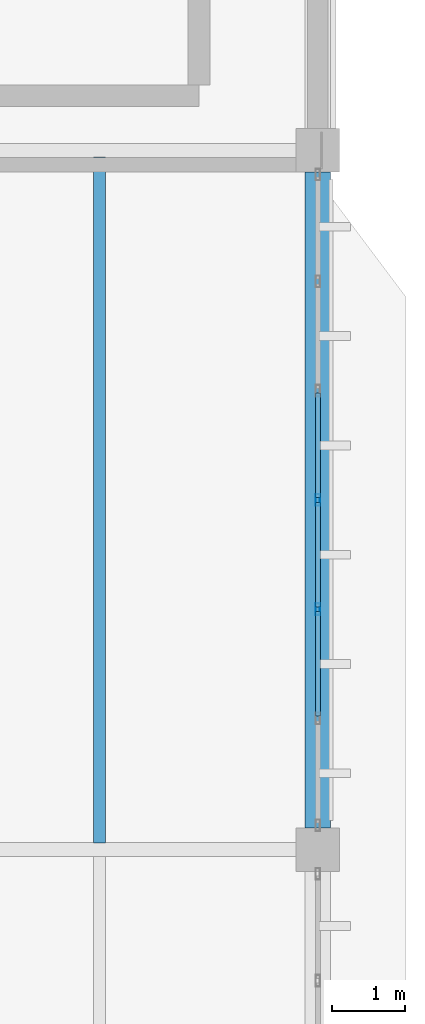
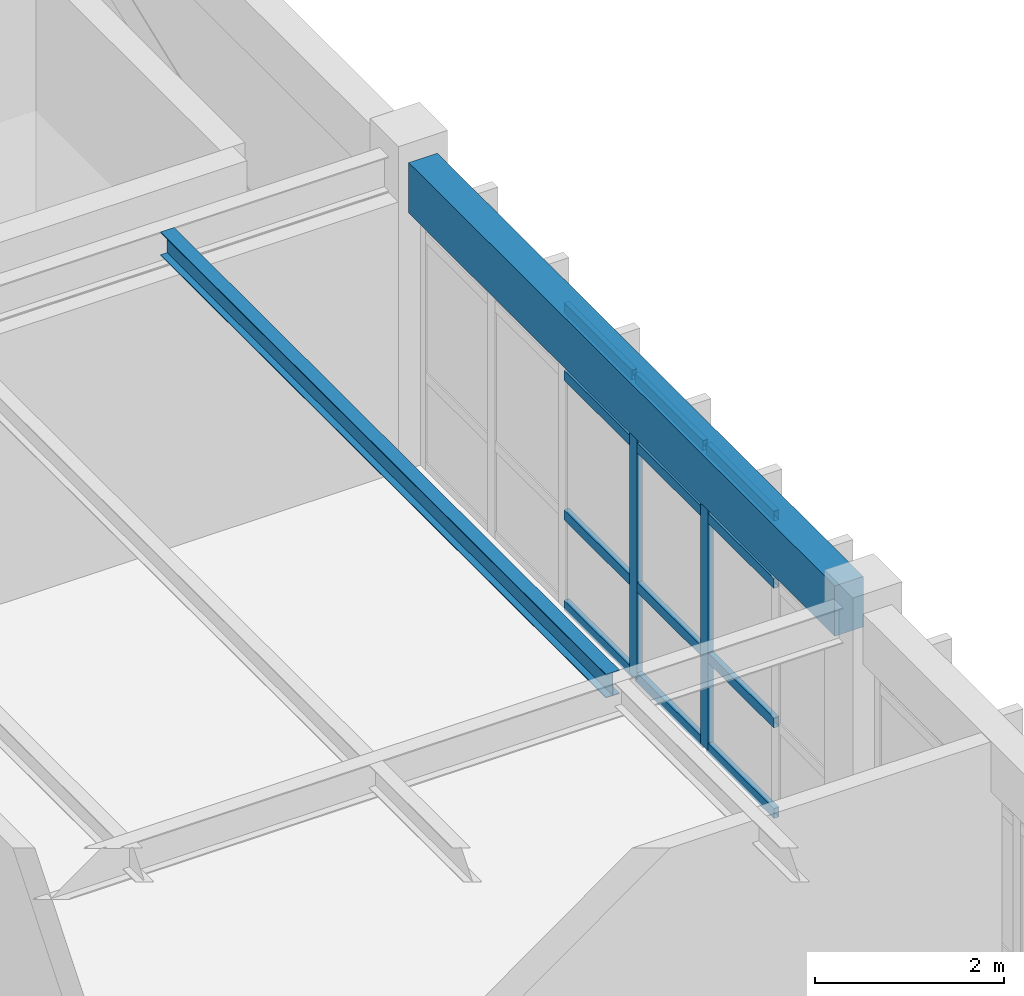
# One storey, part 43 of 83: 14 members, 2 beams, 1 element without a shape of its own.
"""IFC4 building model written with IfcOpenShell, lengths in metres."""

from ifc_helpers import new_model, si_unit, direction, frame, origin, origin_2d, place, context, subcontext, project, spatial, rectangle, hollow_rectangle, i_section, extrude, material, layer, layer_set, material_profile, profile_set, type_object, element, aggregate, save


model = new_model("IFC4")

# Units and contexts
model_context = context("Model", 3, precision=1e-05, world=origin(), true_north=direction((0.0, 1.0)))
body_context = subcontext(model_context, "Body", "Model", "MODEL_VIEW")
ifc_project = project(units=[si_unit("LENGTHUNIT", "METRE"), si_unit("AREAUNIT", "SQUARE_METRE"), si_unit("VOLUMEUNIT", "CUBIC_METRE"), si_unit("PLANEANGLEUNIT", "RADIAN"), si_unit("MASSUNIT", "GRAM", prefix="KILO")], contexts=[model_context])

# Site, building, storey
site_placement = place(None, origin())
site = spatial("IfcSite", under=ifc_project, at=site_placement, CompositionType="ELEMENT")
building_placement = place(site_placement, origin())
building = spatial("IfcBuilding", under=site, at=building_placement, Name="Pandanus Reach Market Hall", CompositionType="ELEMENT")
storey_placement = place(building_placement, frame((0.0, 0.0, 10.199951171875)))
storey = spatial("IfcBuildingStorey", under=building, at=storey_placement, Name="L02", CompositionType="ELEMENT", Elevation=10.199951171875)

# Beam
ifc_material_1 = material(Name="Concrete N40 (40 MPa)", Category="concrete")
ifc_material_profile_1 = material_profile(ifc_material_1, rectangle(XDim=0.35009765625, YDim=0.64990234375, at=origin_2d()), Name="RC350x650", Category="LoadBearing")
ifc_profile_set_1 = profile_set([ifc_material_profile_1], Name="Concrete N40 (40 MPa)")
beam_type_1 = type_object("IfcBeamType", Name="BM-RC350-E", PredefinedType="SPANDREL", material=ifc_profile_set_1)
beam_1_placement = place(storey_placement, frame((180.0, 57.89794921875, 3.625), z_axis=(0.0, 1.0, 0.0), x_axis=(-1.0, 0.0, 0.0)))
element("IfcBeam", 1, at=beam_1_placement, inside=storey, type_object=beam_type_1, Name="Framing beam BM-RC350-E L02.486", PredefinedType="SPANDREL", context=body_context, shape_type="SweptSolid", body=[
    extrude(rectangle(XDim=0.35009765625, YDim=0.64990234375, at=origin_2d()), origin(), (0.0, 0.0, 1.0), 9.004150390625),
])

# Curtain wall, members
ifc_material_2 = material(Name="Bronze anodised aluminium and low-E glass", Category="aluminium")
ifc_layer = layer(ifc_material_2, 0.159912109375, Name="CW-32")
ifc_layer_set = layer_set([ifc_layer], Name="Bronze anodised aluminium and low-E glass")
curtain_wall_type = type_object("IfcCurtainWallType", Name="CW-32", PredefinedType="NOTDEFINED", material=ifc_layer_set)
curtain_wall_placement = place(storey_placement, origin())
curtain_wall = element("IfcCurtainWall", 2, at=curtain_wall_placement, inside=storey, type_object=curtain_wall_type, Name="Glazed curtain wall CW-32 CW-0107", PredefinedType="NOTDEFINED")
ifc_material_3 = material(Name="Bronze anodised aluminium", Category="aluminium")
ifc_material_profile_2 = material_profile(ifc_material_3, hollow_rectangle(XDim=0.06494140625, YDim=0.159912109375, WallThickness=0.00390625, at=origin_2d()), Name="ALU65x160", Category="LoadBearing")
ifc_profile_set_2 = profile_set([ifc_material_profile_2], Name="Bronze anodised aluminium")
member_type_1 = type_object("IfcMemberType", Name="CW-M1", PredefinedType="MULLION", material=ifc_profile_set_2)
member_1_placement = place(storey_placement, frame((180.0, 60.89990234375, 0.0), z_axis=(0.0, 0.0, 1.0), x_axis=(-1.0, 0.0, 0.0)))
member_1 = element("IfcMember", 3, at=member_1_placement, type_object=member_type_1, Name="CW-32 mullion 3", PredefinedType="MULLION", context=body_context, shape_type="SweptSolid", body=[
    extrude(hollow_rectangle(XDim=0.06494140625, YDim=0.159912109375, WallThickness=0.00390625, at=origin_2d()), origin(), (0.0, 0.0, 1.0), 3.900146484375),
])
member_2_placement = place(storey_placement, frame((180.0, 62.39990234375, 0.0), z_axis=(0.0, 0.0, 1.0), x_axis=(-1.0, 0.0, 0.0)))
member_2 = element("IfcMember", 4, at=member_2_placement, type_object=member_type_1, Name="CW-32 mullion 4", PredefinedType="MULLION", context=body_context, shape_type="SweptSolid", body=[
    extrude(hollow_rectangle(XDim=0.06494140625, YDim=0.159912109375, WallThickness=0.00390625, at=origin_2d()), origin(), (0.0, 0.0, 1.0), 3.900146484375),
])
ifc_material_profile_3 = material_profile(ifc_material_3, hollow_rectangle(XDim=0.06494140625, YDim=0.1298828125, WallThickness=0.00390625, at=origin_2d()), Name="ALU65x130", Category="LoadBearing")
ifc_profile_set_3 = profile_set([ifc_material_profile_3], Name="Bronze anodised aluminium")
member_type_2 = type_object("IfcMemberType", Name="CW-T1", PredefinedType="USERDEFINED", material=ifc_profile_set_3)
member_3_placement = place(storey_placement, frame((180.0, 59.4326171875, 0.032470703125), z_axis=(0.0, 1.0, 0.0), x_axis=(-1.0, 0.0, 0.0)))
member_3 = element("IfcMember", 5, at=member_3_placement, type_object=member_type_2, Name="CW-32 transom 2.1", ObjectType="TRANSOM", PredefinedType="USERDEFINED", context=body_context, shape_type="SweptSolid", body=[
    extrude(hollow_rectangle(XDim=0.06494140625, YDim=0.1298828125, WallThickness=0.00390625, at=origin_2d()), origin(), (0.0, 0.0, 1.0), 1.434814453125),
])
member_4_placement = place(storey_placement, frame((180.0, 59.4326171875, 1.199951171875), z_axis=(0.0, 1.0, 0.0), x_axis=(-1.0, 0.0, 0.0)))
member_4 = element("IfcMember", 6, at=member_4_placement, type_object=member_type_2, Name="CW-32 transom 2.2", ObjectType="TRANSOM", PredefinedType="USERDEFINED", context=body_context, shape_type="SweptSolid", body=[
    extrude(hollow_rectangle(XDim=0.06494140625, YDim=0.1298828125, WallThickness=0.00390625, at=origin_2d()), origin(), (0.0, 0.0, 1.0), 1.434814453125),
])
member_5_placement = place(storey_placement, frame((180.0, 59.4326171875, 3.0), z_axis=(0.0, 1.0, 0.0), x_axis=(-1.0, 0.0, 0.0)))
member_5 = element("IfcMember", 7, at=member_5_placement, type_object=member_type_2, Name="CW-32 transom 2.3", ObjectType="TRANSOM", PredefinedType="USERDEFINED", context=body_context, shape_type="SweptSolid", body=[
    extrude(hollow_rectangle(XDim=0.06494140625, YDim=0.1298828125, WallThickness=0.00390625, at=origin_2d()), origin(), (0.0, 0.0, 1.0), 1.434814453125),
])
member_6_placement = place(storey_placement, frame((180.0, 59.4326171875, 3.867431640625), z_axis=(0.0, 1.0, 0.0), x_axis=(-1.0, 0.0, 0.0)))
member_6 = element("IfcMember", 8, at=member_6_placement, type_object=member_type_2, Name="CW-32 transom 2.4", ObjectType="TRANSOM", PredefinedType="USERDEFINED", context=body_context, shape_type="SweptSolid", body=[
    extrude(hollow_rectangle(XDim=0.06494140625, YDim=0.1298828125, WallThickness=0.00390625, at=origin_2d()), origin(), (0.0, 0.0, 1.0), 1.434814453125),
])
member_7_placement = place(storey_placement, frame((180.0, 60.9326171875, 0.032470703125), z_axis=(0.0, 1.0, 0.0), x_axis=(-1.0, 0.0, 0.0)))
member_7 = element("IfcMember", 9, at=member_7_placement, type_object=member_type_2, Name="CW-32 transom 3.1", ObjectType="TRANSOM", PredefinedType="USERDEFINED", context=body_context, shape_type="SweptSolid", body=[
    extrude(hollow_rectangle(XDim=0.06494140625, YDim=0.1298828125, WallThickness=0.00390625, at=origin_2d()), origin(), (0.0, 0.0, 1.0), 1.434814453125),
])
member_8_placement = place(storey_placement, frame((180.0, 60.9326171875, 1.199951171875), z_axis=(0.0, 1.0, 0.0), x_axis=(-1.0, 0.0, 0.0)))
member_8 = element("IfcMember", 10, at=member_8_placement, type_object=member_type_2, Name="CW-32 transom 3.2", ObjectType="TRANSOM", PredefinedType="USERDEFINED", context=body_context, shape_type="SweptSolid", body=[
    extrude(hollow_rectangle(XDim=0.06494140625, YDim=0.1298828125, WallThickness=0.00390625, at=origin_2d()), origin(), (0.0, 0.0, 1.0), 1.434814453125),
])
member_9_placement = place(storey_placement, frame((180.0, 60.9326171875, 3.0), z_axis=(0.0, 1.0, 0.0), x_axis=(-1.0, 0.0, 0.0)))
member_9 = element("IfcMember", 11, at=member_9_placement, type_object=member_type_2, Name="CW-32 transom 3.3", ObjectType="TRANSOM", PredefinedType="USERDEFINED", context=body_context, shape_type="SweptSolid", body=[
    extrude(hollow_rectangle(XDim=0.06494140625, YDim=0.1298828125, WallThickness=0.00390625, at=origin_2d()), origin(), (0.0, 0.0, 1.0), 1.434814453125),
])
member_10_placement = place(storey_placement, frame((180.0, 60.9326171875, 3.867431640625), z_axis=(0.0, 1.0, 0.0), x_axis=(-1.0, 0.0, 0.0)))
member_10 = element("IfcMember", 12, at=member_10_placement, type_object=member_type_2, Name="CW-32 transom 3.4", ObjectType="TRANSOM", PredefinedType="USERDEFINED", context=body_context, shape_type="SweptSolid", body=[
    extrude(hollow_rectangle(XDim=0.06494140625, YDim=0.1298828125, WallThickness=0.00390625, at=origin_2d()), origin(), (0.0, 0.0, 1.0), 1.434814453125),
])
member_11_placement = place(storey_placement, frame((180.0, 62.4326171875, 0.032470703125), z_axis=(0.0, 1.0, 0.0), x_axis=(-1.0, 0.0, 0.0)))
member_11 = element("IfcMember", 13, at=member_11_placement, type_object=member_type_2, Name="CW-32 transom 4.1", ObjectType="TRANSOM", PredefinedType="USERDEFINED", context=body_context, shape_type="SweptSolid", body=[
    extrude(hollow_rectangle(XDim=0.06494140625, YDim=0.1298828125, WallThickness=0.00390625, at=origin_2d()), origin(), (0.0, 0.0, 1.0), 1.434814453125),
])
member_12_placement = place(storey_placement, frame((180.0, 62.4326171875, 1.199951171875), z_axis=(0.0, 1.0, 0.0), x_axis=(-1.0, 0.0, 0.0)))
member_12 = element("IfcMember", 14, at=member_12_placement, type_object=member_type_2, Name="CW-32 transom 4.2", ObjectType="TRANSOM", PredefinedType="USERDEFINED", context=body_context, shape_type="SweptSolid", body=[
    extrude(hollow_rectangle(XDim=0.06494140625, YDim=0.1298828125, WallThickness=0.00390625, at=origin_2d()), origin(), (0.0, 0.0, 1.0), 1.434814453125),
])
member_13_placement = place(storey_placement, frame((180.0, 62.4326171875, 3.0), z_axis=(0.0, 1.0, 0.0), x_axis=(-1.0, 0.0, 0.0)))
member_13 = element("IfcMember", 15, at=member_13_placement, type_object=member_type_2, Name="CW-32 transom 4.3", ObjectType="TRANSOM", PredefinedType="USERDEFINED", context=body_context, shape_type="SweptSolid", body=[
    extrude(hollow_rectangle(XDim=0.06494140625, YDim=0.1298828125, WallThickness=0.00390625, at=origin_2d()), origin(), (0.0, 0.0, 1.0), 1.434814453125),
])
member_14_placement = place(storey_placement, frame((180.0, 62.4326171875, 3.867431640625), z_axis=(0.0, 1.0, 0.0), x_axis=(-1.0, 0.0, 0.0)))
member_14 = element("IfcMember", 16, at=member_14_placement, type_object=member_type_2, Name="CW-32 transom 4.4", ObjectType="TRANSOM", PredefinedType="USERDEFINED", context=body_context, shape_type="SweptSolid", body=[
    extrude(hollow_rectangle(XDim=0.06494140625, YDim=0.1298828125, WallThickness=0.00390625, at=origin_2d()), origin(), (0.0, 0.0, 1.0), 1.434814453125),
])
aggregate(curtain_wall, [member_1, member_2, member_3, member_4, member_5, member_6, member_7, member_8, member_9, member_10, member_11, member_12, member_13, member_14])

# Beam
ifc_material_4 = material(Name="Steel Grade 350 (350 MPa)", Category="steel")
ifc_material_profile_4 = material_profile(ifc_material_4, i_section(OverallWidth=0.1650390625, OverallDepth=0.303955078125, WebThickness=0.006103515625, FlangeThickness=0.01025390625, at=origin_2d()), Name="310UB40.4", Category="LoadBearing")
ifc_profile_set_4 = profile_set([ifc_material_profile_4], Name="Steel Grade 350 (350 MPa)")
beam_type_2 = type_object("IfcBeamType", Name="JS-UB310-I", PredefinedType="JOIST", material=ifc_profile_set_4)
beam_2_placement = place(storey_placement, frame((177.0, 57.693115234375, 3.797607421875), z_axis=(0.0, 1.0, 0.0), x_axis=(-1.0, 0.0, 0.0)))
element("IfcBeam", 17, at=beam_2_placement, inside=storey, type_object=beam_type_2, Name="Secondary joist JS-UB310-I L02.532", PredefinedType="JOIST", context=body_context, shape_type="SweptSolid", body=[
    extrude(i_section(OverallWidth=0.1650390625, OverallDepth=0.303955078125, WebThickness=0.006103515625, FlangeThickness=0.01025390625, at=origin_2d()), origin(), (0.0, 0.0, 1.0), 9.413818359375),
])

save(model, "model.ifc")
